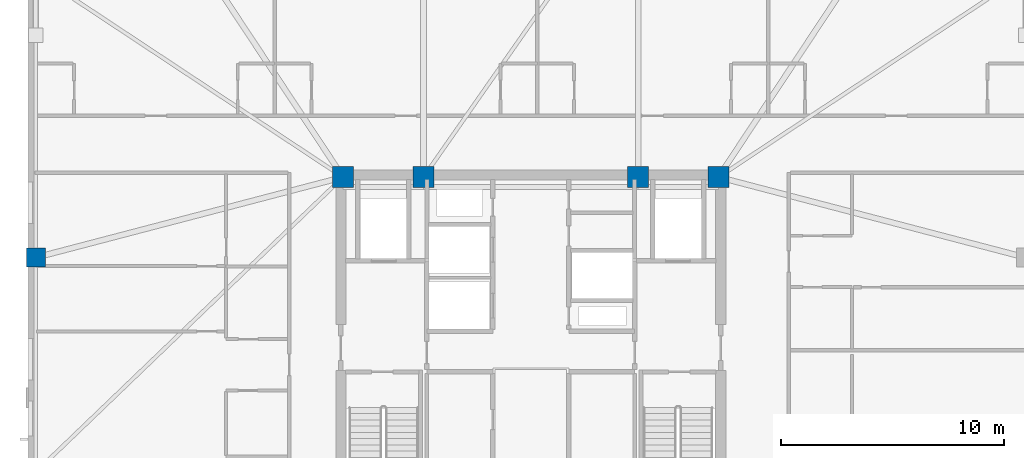
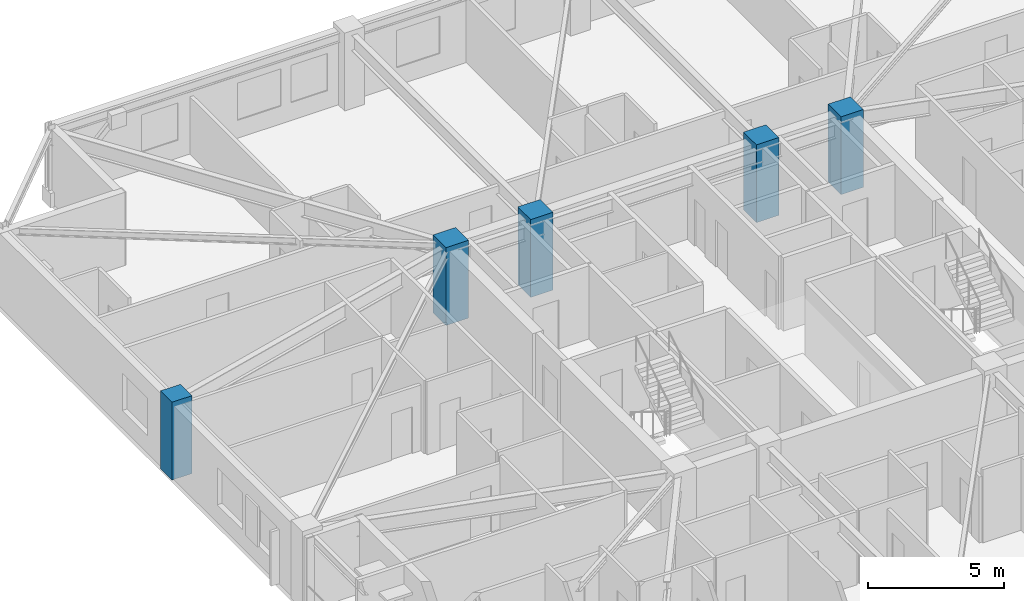
# One storey, part 2 of 16: 5 columns.
"""IFC4 building model written with IfcOpenShell, lengths in metres."""

from ifc_helpers import new_model, si_unit, direction, frame, origin, origin_2d, place, context, subcontext, project, spatial, rectangle, extrude, material, material_profile, profile_set, type_object, element, save


model = new_model("IFC4")

# Units and contexts
model_context = context("Model", 3, precision=1e-05, world=origin(), true_north=direction((0.0, 1.0)))
body_context = subcontext(model_context, "Body", "Model", "MODEL_VIEW")
ifc_project = project(units=[si_unit("LENGTHUNIT", "METRE"), si_unit("AREAUNIT", "SQUARE_METRE"), si_unit("VOLUMEUNIT", "CUBIC_METRE"), si_unit("PLANEANGLEUNIT", "RADIAN"), si_unit("MASSUNIT", "GRAM", prefix="KILO")], contexts=[model_context])

# Site, building, storey
site_placement = place(None, origin())
site = spatial("IfcSite", under=ifc_project, at=site_placement, CompositionType="ELEMENT")
building_placement = place(site_placement, origin())
building = spatial("IfcBuilding", under=site, at=building_placement, Name="Cairnveth Concourse Tower", CompositionType="ELEMENT")
storey_placement = place(building_placement, frame((0.0, 0.0, 255.0)))
storey = spatial("IfcBuildingStorey", under=building, at=storey_placement, Name="L70", CompositionType="ELEMENT", Elevation=255.0)

# Columns
ifc_material = material(Name="Concrete N65 (65 MPa)", Category="concrete")
ifc_material_profile_1 = material_profile(ifc_material, rectangle(XDim=0.949951171875, YDim=0.949951171875, at=origin_2d()), Name="RC-COL-950x950")
ifc_profile_set_1 = profile_set([ifc_material_profile_1], Name="Concrete N65 (65 MPa)")
column_type_1 = type_object("IfcColumnType", Name="CORE COLUMN 950X950", PredefinedType="COLUMN", material=ifc_profile_set_1)
for number, where, z_axis, x_axis, name in (
    (1, (43.60009765625, 47.39990234375, 0.0), (0.0, 0.0, 1.0), (1.0, 0.0, 0.0), "Column CC5 L70"),
    (2, (47.199951171875, 47.39990234375, 0.0), (0.0, 0.0, 1.0), (1.0, 0.0, 0.0), "Column CC6 L70"),
    (3, (56.800048828125, 47.39990234375, 0.0), (0.0, 0.0, 1.0), (1.0, 0.0, 0.0), "Column CC7 L70"),
    (4, (60.39990234375, 47.39990234375, 0.0), (0.0, 0.0, 1.0), (1.0, 0.0, 0.0), "Column CC8 L70"),
):
    element("IfcColumn", number, at=place(storey_placement, frame(where, z_axis=z_axis, x_axis=x_axis)), inside=storey, type_object=column_type_1, Name=name, PredefinedType="COLUMN", context=body_context, shape_type="SweptSolid", body=[
        extrude(rectangle(XDim=0.949951171875, YDim=0.949951171875, at=origin_2d()), origin(), (0.0, 0.0, 1.0), 3.5),
    ])
ifc_material_profile_2 = material_profile(ifc_material, rectangle(XDim=0.85009765625, YDim=0.85009765625, at=origin_2d()), Name="RC-COL-850x850")
ifc_profile_set_2 = profile_set([ifc_material_profile_2], Name="Concrete N65 (65 MPa)")
column_type_2 = type_object("IfcColumnType", Name="PERIMETER PIER COLUMN 850X850", PredefinedType="COLUMN", material=ifc_profile_set_2)
column_placement = place(storey_placement, frame((29.85009765625, 43.800048828125, 0.0), z_axis=(0.0, 0.0, 1.0), x_axis=(0.0, 1.0, 0.0)))
element("IfcColumn", 5, at=column_placement, inside=storey, type_object=column_type_2, Name="Column P-W2 L70", PredefinedType="COLUMN", context=body_context, shape_type="SweptSolid", body=[
    extrude(rectangle(XDim=0.85009765625, YDim=0.85009765625, at=origin_2d()), origin(), (0.0, 0.0, 1.0), 3.5),
])

save(model, "model.ifc")
